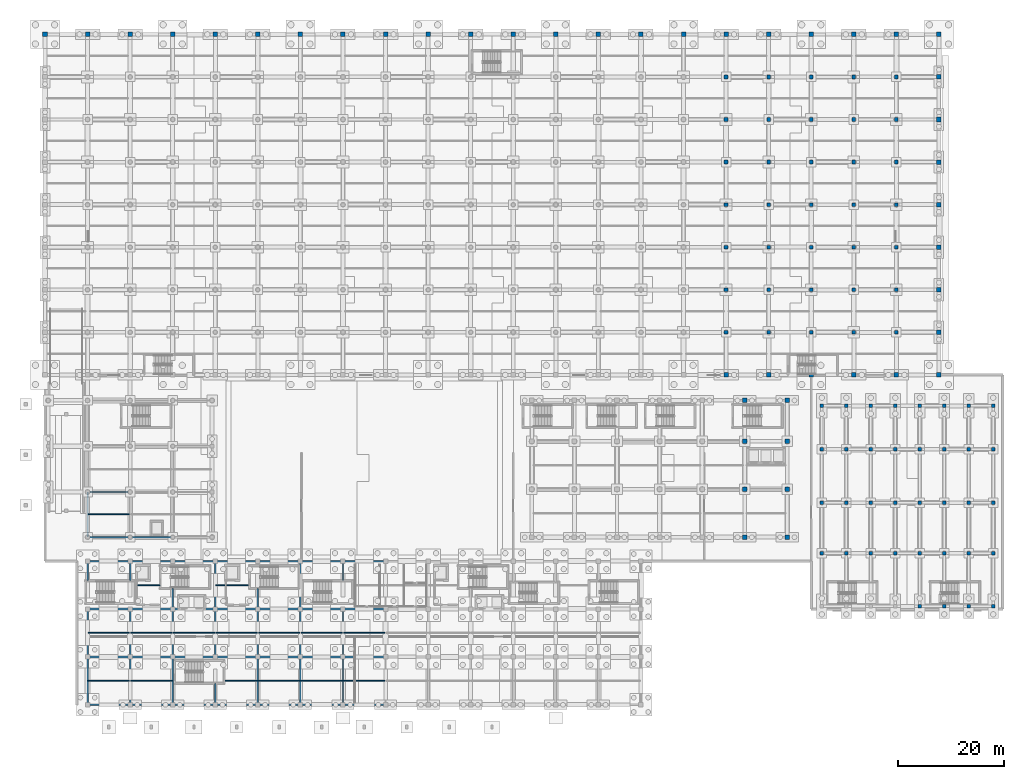
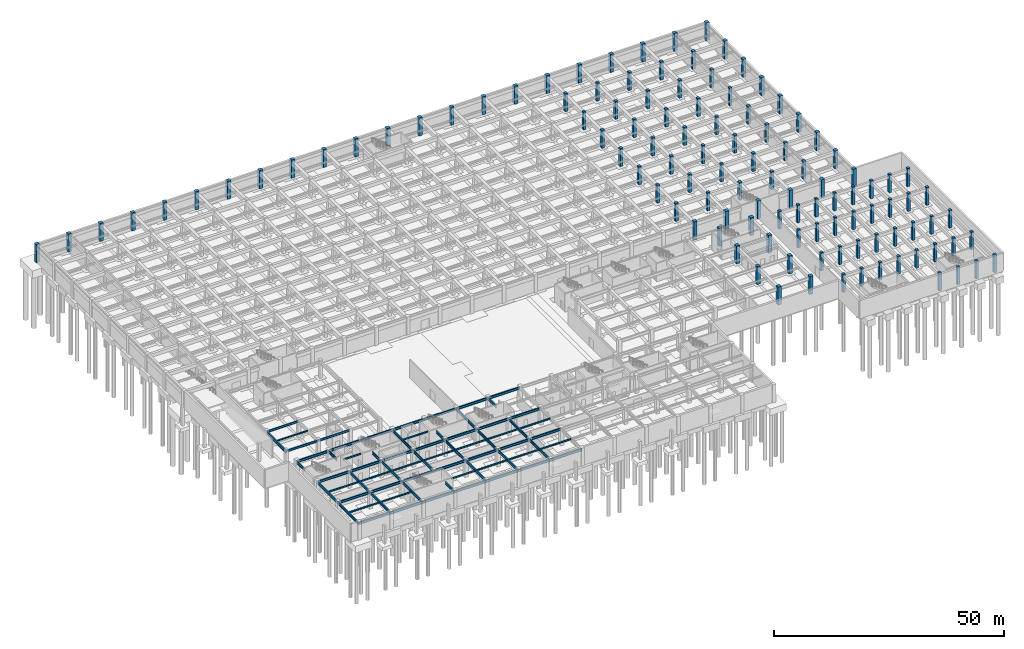
# One storey, part 18 of 48: 114 columns, 69 beams.
"""IFC4 building model written with IfcOpenShell, lengths in metres."""

import ifcopenshell
import ifcopenshell.guid

model = None  # the IFC model being written
_history = None  # IfcOwnerHistory: only IFC2X3 demands one
_inside = {}  # id of a spatial element -> (the spatial element, [elements in it])
_under = {}  # id of a project, library or spatial element -> (it, [spatial elements below it])
_declared = {}  # id of a project -> (the project, [libraries it declares])
_typed = {}  # id of a type object -> (the type object, [elements of that type])
_made_of = {}  # id of a material, layer set ... -> (it, [elements and type objects made of it])


def new_model(schema):
    """Start an empty IFC model of exactly this schema.

    Asked for "IFC4X3", IfcOpenShell would pick the latest addendum, in which some entities
    have other attributes; the version numbers below select the first issue.
    IFC2X3 requires an IfcOwnerHistory on every rooted entity: one is made here for all.
    """
    global model, _history
    if schema == "IFC4X3":
        model = ifcopenshell.file(schema_version=(4, 3, 0, 0))
    else:
        model = ifcopenshell.file(schema=schema)
    _inside.clear()
    _under.clear()
    _declared.clear()
    _typed.clear()
    _made_of.clear()
    _history = None
    if model.schema == "IFC2X3":
        org = make("IfcOrganization", Name="unknown")
        user = make(
            "IfcPersonAndOrganization",
            ThePerson=make("IfcPerson", FamilyName="unknown"),
            TheOrganization=org,
        )
        app = make(
            "IfcApplication",
            ApplicationDeveloper=org,
            Version="unknown",
            ApplicationFullName="unknown",
            ApplicationIdentifier="unknown",
        )
        _history = make(
            "IfcOwnerHistory",
            OwningUser=user,
            OwningApplication=app,
            ChangeAction="ADDED",
            CreationDate=0,
        )
    return model


def make(cls, **values):
    """One entity of the class cls with the attributes given. An attribute that is None is left unset."""
    return model.create_entity(
        cls, **{name: value for name, value in values.items() if value is not None}
    )


def rooted(cls, **values):
    """An entity with a GlobalId (a new one), such as an element, a storey or a relation."""
    return make(cls, GlobalId=ifcopenshell.guid.new(), OwnerHistory=_history, **values)


def si_unit(unit_type, name, prefix=None):
    """IfcSIUnit, for example si_unit("LENGTHUNIT", "METRE", prefix="MILLI")."""
    return make("IfcSIUnit", UnitType=unit_type, Prefix=prefix, Name=name)


def assignment(units):
    """IfcUnitAssignment: the units of a project."""
    return None if units is None else make("IfcUnitAssignment", Units=units)


def point(xyz):
    """IfcCartesianPoint."""
    return None if xyz is None else make("IfcCartesianPoint", Coordinates=xyz)


def direction(xyz):
    """IfcDirection."""
    return None if xyz is None else make("IfcDirection", DirectionRatios=xyz)


def frame(location, z_axis=None, x_axis=None):
    """IfcAxis2Placement3D, a coordinate frame: its origin and axes. An axis left out is left unset."""
    return make(
        "IfcAxis2Placement3D",
        Location=point(location),
        Axis=direction(z_axis),
        RefDirection=direction(x_axis),
    )


def frame_2d(location, x_axis=None):
    """IfcAxis2Placement2D, a coordinate frame in the plane: its origin and x axis."""
    return make(
        "IfcAxis2Placement2D", Location=point(location), RefDirection=direction(x_axis)
    )


def origin():
    """The frame at (0, 0, 0) with its axes left unset."""
    return frame((0.0, 0.0, 0.0))


def origin_2d():
    """The frame at (0, 0) in the plane with its x axis left unset."""
    return frame_2d((0.0, 0.0))


def place(relative_to, where):
    """IfcLocalPlacement: puts the frame where relative to a parent placement (None: the world)."""
    return make(
        "IfcLocalPlacement", PlacementRelTo=relative_to, RelativePlacement=where
    )


def context(
    kind, dimensions, precision=None, world=None, true_north=None, identifier=None
):
    """IfcGeometricRepresentationContext, for example the 3D "Model" context."""
    return make(
        "IfcGeometricRepresentationContext",
        ContextIdentifier=identifier,
        ContextType=kind,
        CoordinateSpaceDimension=dimensions,
        Precision=precision,
        WorldCoordinateSystem=world,
        TrueNorth=true_north,
    )


def subcontext(parent, identifier, kind, view, scale=None):
    """IfcGeometricRepresentationSubContext, for example "Body" below "Model"."""
    return make(
        "IfcGeometricRepresentationSubContext",
        ContextIdentifier=identifier,
        ContextType=kind,
        ParentContext=parent,
        TargetScale=scale,
        TargetView=view,
    )


def project(units=None, contexts=None):
    """IfcProject with its units and contexts."""
    return rooted(
        "IfcProject",
        Name="project",
        RepresentationContexts=contexts,
        UnitsInContext=assignment(units),
    )


def spatial(cls, under=None, at=None, **own):
    """A site, building, storey or space (cls), placed at a placement, below another one or the project."""
    s = rooted(cls, ObjectPlacement=at, **own)
    if under is not None:
        _under.setdefault(under.id(), (under, []))[1].append(s)
    return s


def profile(cls, at=None, kind="AREA", **sizes):
    """A parametric profile (cls). Its sizes go by their IFC names, for example OverallWidth=200.0."""
    return make(cls, ProfileType=kind, Position=at, **sizes)


def rectangle(**sizes):
    """IfcRectangleProfileDef."""
    return profile("IfcRectangleProfileDef", **sizes)


def i_section(**sizes):
    """IfcIShapeProfileDef."""
    return profile("IfcIShapeProfileDef", **sizes)


def extrude(swept, where, along, depth):
    """IfcExtrudedAreaSolid: the profile swept, set in the frame where, extruded along a direction by depth."""
    return make(
        "IfcExtrudedAreaSolid",
        SweptArea=swept,
        Position=where,
        ExtrudedDirection=direction(along),
        Depth=depth,
    )


def shape(context_of_items, identifier, shape_type, items):
    """IfcShapeRepresentation: the items that make up one representation, for example the "Body"."""
    return make(
        "IfcShapeRepresentation",
        ContextOfItems=context_of_items,
        RepresentationIdentifier=identifier,
        RepresentationType=shape_type,
        Items=items,
    )


def material(Name=None, Category=None):
    """IfcMaterial."""
    return make("IfcMaterial", Name=Name, Category=Category)


def material_profile(
    of_material, cross_section, Name=None, Category=None, Priority=None
):
    """IfcMaterialProfile: a cross section and its material."""
    return make(
        "IfcMaterialProfile",
        Name=Name,
        Material=of_material,
        Profile=cross_section,
        Priority=Priority,
        Category=Category,
    )


def profile_set(profiles, Name=None, composite=None):
    """IfcMaterialProfileSet."""
    return make(
        "IfcMaterialProfileSet",
        Name=Name,
        MaterialProfiles=profiles,
        CompositeProfile=composite,
    )


def made_of(thing, what):
    """Note that an element or type object is made of a material, layer set ...; save() writes the relation."""
    if what is not None:
        _made_of.setdefault(what.id(), (what, []))[1].append(thing)
    return thing


def type_object(cls, material=None, **own):
    """A type object (cls), such as IfcWallType, which elements share."""
    return made_of(rooted(cls, **own), material)


def element(
    cls,
    number,
    at=None,
    inside=None,
    cuts=None,
    type_object=None,
    material=None,
    context=None,
    identifier="Body",
    shape_type=None,
    held_by="IfcProductDefinitionShape",
    body=None,
    shapes=None,
    **own,
):
    """One element of the class cls, such as IfcWall. Its Tag is "e" and its number.

    at: its placement. inside: the storey or other place that contains it. cuts: it is an
    opening in that element (IfcRelVoidsElement). A single representation is given by context,
    identifier, shape_type and body (its items); several are given by shapes. held_by: the class
    of the entity that holds the representations. save() writes the other relations.
    """
    e = rooted(cls, Tag="e%d" % number, ObjectPlacement=at, **own)
    if body is not None:
        shapes = [shape(context, identifier, shape_type, body)]
    if shapes is not None:
        e.Representation = make(held_by, Representations=shapes)
    if inside is not None:
        _inside.setdefault(inside.id(), (inside, []))[1].append(e)
    if cuts is not None:
        rooted(
            "IfcRelVoidsElement", RelatingBuildingElement=cuts, RelatedOpeningElement=e
        )
    if type_object is not None:
        _typed.setdefault(type_object.id(), (type_object, []))[1].append(e)
    return made_of(e, material)


def aggregate(whole, parts):
    """IfcRelAggregates: a whole, such as a stair, and the parts it consists of."""
    return rooted("IfcRelAggregates", RelatingObject=whole, RelatedObjects=parts)


def save(model, path):
    """Write the relations noted so far, then the file.

    IfcRelAggregates (storeys below a building ...), IfcRelContainedInSpatialStructure (elements
    in a storey), IfcRelDefinesByType, IfcRelAssociatesMaterial and IfcRelDeclares: one each for
    every whole, place, type object, material and project.
    """
    for whole, parts in _under.values():
        aggregate(whole, parts)
    for where, things in _inside.values():
        rooted(
            "IfcRelContainedInSpatialStructure",
            RelatedElements=things,
            RelatingStructure=where,
        )
    for kind, things in _typed.values():
        rooted("IfcRelDefinesByType", RelatedObjects=things, RelatingType=kind)
    for what, things in _made_of.values():
        rooted("IfcRelAssociatesMaterial", RelatedObjects=things, RelatingMaterial=what)
    for by, libraries in _declared.values():
        rooted("IfcRelDeclares", RelatingContext=by, RelatedDefinitions=libraries)
    model.write(path)


model = new_model("IFC4")

# Units and contexts
model_context = context("Model", 3, precision=1e-05, world=origin(), true_north=direction((0.0, 1.0)))
body_context = subcontext(model_context, "Body", "Model", "MODEL_VIEW")
ifc_project = project(units=[si_unit("LENGTHUNIT", "METRE"), si_unit("AREAUNIT", "SQUARE_METRE"), si_unit("VOLUMEUNIT", "CUBIC_METRE"), si_unit("PLANEANGLEUNIT", "RADIAN"), si_unit("MASSUNIT", "GRAM", prefix="KILO")], contexts=[model_context])

# Site, building, storey
site_placement = place(None, origin())
site = spatial("IfcSite", under=ifc_project, at=site_placement, CompositionType="ELEMENT")
building_placement = place(site_placement, origin())
building = spatial("IfcBuilding", under=site, at=building_placement, Name="Tlacozan Convention Centre", CompositionType="ELEMENT")
storey_placement = place(building_placement, frame((0.0, 0.0, -4.800048828125)))
storey = spatial("IfcBuildingStorey", under=building, at=storey_placement, Name="B01", CompositionType="ELEMENT", Elevation=-4.800048828125)

# Columns
ifc_material_1 = material(Name="Concrete C40/50", Category="concrete")
ifc_material_profile_1 = material_profile(ifc_material_1, rectangle(XDim=0.64990234375, YDim=0.64990234375, at=origin_2d()), Name="RC 650x650")
ifc_profile_set_1 = profile_set([ifc_material_profile_1], Name="Concrete C40/50")
column_type_1 = type_object("IfcColumnType", Name="Column Square RC 650x650", PredefinedType="COLUMN", material=ifc_profile_set_1)
for number, where, z_axis, x_axis, name in (
    (1, (146.0, 28.5, 0.0), (0.0, 0.0, 1.0), (1.0, 0.0, 0.0), "B01 Column 725"),
    (2, (146.0, 38.0, 0.0), (0.0, 0.0, 1.0), (1.0, 0.0, 0.0), "B01 Column 726"),
    (3, (146.0, 48.0, 0.0), (0.0, 0.0, 1.0), (1.0, 0.0, 0.0), "B01 Column 727"),
    (4, (146.0, 56.199951171875, 0.0), (0.0, 0.0, 1.0), (1.0, 0.0, 0.0), "B01 Column 728"),
    (5, (150.60009765625, 28.5, 0.0), (0.0, 0.0, 1.0), (1.0, 0.0, 0.0), "B01 Column 736"),
    (6, (150.60009765625, 38.0, 0.0), (0.0, 0.0, 1.0), (1.0, 0.0, 0.0), "B01 Column 737"),
    (7, (150.60009765625, 48.0, 0.0), (0.0, 0.0, 1.0), (1.0, 0.0, 0.0), "B01 Column 738"),
    (8, (150.60009765625, 56.199951171875, 0.0), (0.0, 0.0, 1.0), (1.0, 0.0, 0.0), "B01 Column 739"),
    (9, (155.199951171875, 28.5, 0.0), (0.0, 0.0, 1.0), (1.0, 0.0, 0.0), "B01 Column 760"),
    (10, (155.199951171875, 38.0, 0.0), (0.0, 0.0, 1.0), (1.0, 0.0, 0.0), "B01 Column 761"),
    (11, (155.199951171875, 48.0, 0.0), (0.0, 0.0, 1.0), (1.0, 0.0, 0.0), "B01 Column 762"),
    (12, (155.199951171875, 56.199951171875, 0.0), (0.0, 0.0, 1.0), (1.0, 0.0, 0.0), "B01 Column 763"),
    (13, (159.800048828125, 28.5, 0.0), (0.0, 0.0, 1.0), (1.0, 0.0, 0.0), "B01 Column 771"),
    (14, (159.800048828125, 38.0, 0.0), (0.0, 0.0, 1.0), (1.0, 0.0, 0.0), "B01 Column 772"),
    (15, (159.800048828125, 48.0, 0.0), (0.0, 0.0, 1.0), (1.0, 0.0, 0.0), "B01 Column 773"),
    (16, (159.800048828125, 56.199951171875, 0.0), (0.0, 0.0, 1.0), (1.0, 0.0, 0.0), "B01 Column 774"),
    (17, (164.39990234375, 18.5, 0.0), (0.0, 0.0, 1.0), (1.0, 0.0, 0.0), "B01 Column 791"),
    (18, (164.39990234375, 28.5, 0.0), (0.0, 0.0, 1.0), (1.0, 0.0, 0.0), "B01 Column 795"),
    (19, (164.39990234375, 38.0, 0.0), (0.0, 0.0, 1.0), (1.0, 0.0, 0.0), "B01 Column 796"),
    (20, (164.39990234375, 48.0, 0.0), (0.0, 0.0, 1.0), (1.0, 0.0, 0.0), "B01 Column 797"),
    (21, (164.39990234375, 56.199951171875, 0.0), (0.0, 0.0, 1.0), (1.0, 0.0, 0.0), "B01 Column 798"),
    (22, (169.0, 18.5, 0.0), (0.0, 0.0, 1.0), (1.0, 0.0, 0.0), "B01 Column 829"),
    (23, (169.0, 28.5, 0.0), (0.0, 0.0, 1.0), (1.0, 0.0, 0.0), "B01 Column 833"),
    (24, (169.0, 38.0, 0.0), (0.0, 0.0, 1.0), (1.0, 0.0, 0.0), "B01 Column 834"),
    (25, (169.0, 48.0, 0.0), (0.0, 0.0, 1.0), (1.0, 0.0, 0.0), "B01 Column 835"),
    (26, (169.0, 56.199951171875, 0.0), (0.0, 0.0, 1.0), (1.0, 0.0, 0.0), "B01 Column 836"),
    (27, (173.60009765625, 18.5, 0.0), (0.0, 0.0, 1.0), (1.0, 0.0, 0.0), "B01 Column 840"),
    (28, (173.60009765625, 28.5, 0.0), (0.0, 0.0, 1.0), (1.0, 0.0, 0.0), "B01 Column 844"),
    (29, (173.60009765625, 38.0, 0.0), (0.0, 0.0, 1.0), (1.0, 0.0, 0.0), "B01 Column 845"),
    (30, (173.60009765625, 48.0, 0.0), (0.0, 0.0, 1.0), (1.0, 0.0, 0.0), "B01 Column 846"),
    (31, (173.60009765625, 56.199951171875, 0.0), (0.0, 0.0, 1.0), (1.0, 0.0, 0.0), "B01 Column 847"),
    (32, (178.199951171875, 18.5, 0.0), (0.0, 0.0, 1.0), (1.0, 0.0, 0.0), "B01 Column 851"),
    (33, (178.199951171875, 28.5, 0.0), (0.0, 0.0, 1.0), (1.0, 0.0, 0.0), "B01 Column 855"),
    (34, (178.199951171875, 38.0, 0.0), (0.0, 0.0, 1.0), (1.0, 0.0, 0.0), "B01 Column 856"),
    (35, (178.199951171875, 48.0, 0.0), (0.0, 0.0, 1.0), (1.0, 0.0, 0.0), "B01 Column 857"),
    (36, (178.199951171875, 56.199951171875, 0.0), (0.0, 0.0, 1.0), (1.0, 0.0, 0.0), "B01 Column 858"),
):
    element("IfcColumn", number, at=place(storey_placement, frame(where, z_axis=z_axis, x_axis=x_axis)), inside=storey, type_object=column_type_1, Name=name, PredefinedType="COLUMN", context=body_context, shape_type="SweptSolid", body=[
        extrude(rectangle(XDim=0.64990234375, YDim=0.64990234375, at=origin_2d()), origin(), (0.0, 0.0, 1.0), 4.800048828125),
    ])
ifc_material_profile_2 = material_profile(ifc_material_1, rectangle(XDim=0.699951171875, YDim=0.699951171875, at=origin_2d()), Name="RC 700x700")
ifc_profile_set_2 = profile_set([ifc_material_profile_2], Name="Concrete C40/50")
column_type_2 = type_object("IfcColumnType", Name="Column Square RC 700x700", PredefinedType="COLUMN", material=ifc_profile_set_2)
for number, where, z_axis, x_axis, name in (
    (37, (128.0, 70.0, 0.0), (0.0, 0.0, 1.0), (1.0, 0.0, 0.0), "B01 Column 663"),
    (38, (128.0, 78.0, 0.0), (0.0, 0.0, 1.0), (1.0, 0.0, 0.0), "B01 Column 664"),
    (39, (128.0, 86.0, 0.0), (0.0, 0.0, 1.0), (1.0, 0.0, 0.0), "B01 Column 665"),
    (40, (128.0, 94.0, 0.0), (0.0, 0.0, 1.0), (1.0, 0.0, 0.0), "B01 Column 666"),
    (41, (128.0, 102.0, 0.0), (0.0, 0.0, 1.0), (1.0, 0.0, 0.0), "B01 Column 667"),
    (42, (128.0, 110.0, 0.0), (0.0, 0.0, 1.0), (1.0, 0.0, 0.0), "B01 Column 668"),
    (43, (128.0, 118.0, 0.0), (0.0, 0.0, 1.0), (1.0, 0.0, 0.0), "B01 Column 669"),
    (44, (136.0, 70.0, 0.0), (0.0, 0.0, 1.0), (1.0, 0.0, 0.0), "B01 Column 686"),
    (45, (136.0, 78.0, 0.0), (0.0, 0.0, 1.0), (1.0, 0.0, 0.0), "B01 Column 687"),
    (46, (136.0, 86.0, 0.0), (0.0, 0.0, 1.0), (1.0, 0.0, 0.0), "B01 Column 688"),
    (47, (136.0, 94.0, 0.0), (0.0, 0.0, 1.0), (1.0, 0.0, 0.0), "B01 Column 689"),
    (48, (136.0, 102.0, 0.0), (0.0, 0.0, 1.0), (1.0, 0.0, 0.0), "B01 Column 690"),
    (49, (136.0, 110.0, 0.0), (0.0, 0.0, 1.0), (1.0, 0.0, 0.0), "B01 Column 691"),
    (50, (136.0, 118.0, 0.0), (0.0, 0.0, 1.0), (1.0, 0.0, 0.0), "B01 Column 692"),
    (51, (144.0, 70.0, 0.0), (0.0, 0.0, 1.0), (1.0, 0.0, 0.0), "B01 Column 711"),
    (52, (144.0, 78.0, 0.0), (0.0, 0.0, 1.0), (1.0, 0.0, 0.0), "B01 Column 712"),
    (53, (144.0, 86.0, 0.0), (0.0, 0.0, 1.0), (1.0, 0.0, 0.0), "B01 Column 713"),
    (54, (144.0, 94.0, 0.0), (0.0, 0.0, 1.0), (1.0, 0.0, 0.0), "B01 Column 714"),
    (55, (144.0, 102.0, 0.0), (0.0, 0.0, 1.0), (1.0, 0.0, 0.0), "B01 Column 715"),
    (56, (144.0, 110.0, 0.0), (0.0, 0.0, 1.0), (1.0, 0.0, 0.0), "B01 Column 716"),
    (57, (144.0, 118.0, 0.0), (0.0, 0.0, 1.0), (1.0, 0.0, 0.0), "B01 Column 717"),
    (58, (152.0, 70.0, 0.0), (0.0, 0.0, 1.0), (1.0, 0.0, 0.0), "B01 Column 746"),
    (59, (152.0, 78.0, 0.0), (0.0, 0.0, 1.0), (1.0, 0.0, 0.0), "B01 Column 747"),
    (60, (152.0, 86.0, 0.0), (0.0, 0.0, 1.0), (1.0, 0.0, 0.0), "B01 Column 748"),
    (61, (152.0, 94.0, 0.0), (0.0, 0.0, 1.0), (1.0, 0.0, 0.0), "B01 Column 749"),
    (62, (152.0, 102.0, 0.0), (0.0, 0.0, 1.0), (1.0, 0.0, 0.0), "B01 Column 750"),
    (63, (152.0, 110.0, 0.0), (0.0, 0.0, 1.0), (1.0, 0.0, 0.0), "B01 Column 751"),
    (64, (152.0, 118.0, 0.0), (0.0, 0.0, 1.0), (1.0, 0.0, 0.0), "B01 Column 752"),
    (65, (160.0, 70.0, 0.0), (0.0, 0.0, 1.0), (1.0, 0.0, 0.0), "B01 Column 781"),
    (66, (160.0, 78.0, 0.0), (0.0, 0.0, 1.0), (1.0, 0.0, 0.0), "B01 Column 782"),
    (67, (160.0, 86.0, 0.0), (0.0, 0.0, 1.0), (1.0, 0.0, 0.0), "B01 Column 783"),
    (68, (160.0, 94.0, 0.0), (0.0, 0.0, 1.0), (1.0, 0.0, 0.0), "B01 Column 784"),
    (69, (160.0, 102.0, 0.0), (0.0, 0.0, 1.0), (1.0, 0.0, 0.0), "B01 Column 785"),
    (70, (160.0, 110.0, 0.0), (0.0, 0.0, 1.0), (1.0, 0.0, 0.0), "B01 Column 786"),
    (71, (160.0, 118.0, 0.0), (0.0, 0.0, 1.0), (1.0, 0.0, 0.0), "B01 Column 787"),
):
    element("IfcColumn", number, at=place(storey_placement, frame(where, z_axis=z_axis, x_axis=x_axis)), inside=storey, type_object=column_type_2, Name=name, PredefinedType="COLUMN", context=body_context, shape_type="SweptSolid", body=[
        extrude(rectangle(XDim=0.699951171875, YDim=0.699951171875, at=origin_2d()), origin(), (0.0, 0.0, 1.0), 4.800048828125),
    ])
ifc_material_profile_3 = material_profile(ifc_material_1, rectangle(XDim=0.85009765625, YDim=0.85009765625, at=origin_2d()), Name="RC 850x850")
ifc_profile_set_3 = profile_set([ifc_material_profile_3], Name="Concrete C40/50")
column_type_3 = type_object("IfcColumnType", Name="Column Square RC 850x850", PredefinedType="COLUMN", material=ifc_profile_set_3)
for number, where, z_axis, x_axis, name in (
    (72, (0.0, 126.0, 0.0), (0.0, 0.0, 1.0), (1.0, 0.0, 0.0), "B01 Column 25"),
    (73, (8.0, 126.0, 0.0), (0.0, 0.0, 1.0), (1.0, 0.0, 0.0), "B01 Column 83"),
    (74, (16.0, 126.0, 0.0), (0.0, 0.0, 1.0), (1.0, 0.0, 0.0), "B01 Column 132"),
    (75, (24.0, 126.0, 0.0), (0.0, 0.0, 1.0), (1.0, 0.0, 0.0), "B01 Column 181"),
    (76, (32.0, 126.0, 0.0), (0.0, 0.0, 1.0), (1.0, 0.0, 0.0), "B01 Column 230"),
    (77, (40.0, 126.0, 0.0), (0.0, 0.0, 1.0), (1.0, 0.0, 0.0), "B01 Column 267"),
    (78, (48.0, 126.0, 0.0), (0.0, 0.0, 1.0), (1.0, 0.0, 0.0), "B01 Column 304"),
    (79, (56.0, 126.0, 0.0), (0.0, 0.0, 1.0), (1.0, 0.0, 0.0), "B01 Column 341"),
    (80, (64.0, 126.0, 0.0), (0.0, 0.0, 1.0), (1.0, 0.0, 0.0), "B01 Column 378"),
    (81, (72.0, 126.0, 0.0), (0.0, 0.0, 1.0), (1.0, 0.0, 0.0), "B01 Column 415"),
    (82, (80.0, 126.0, 0.0), (0.0, 0.0, 1.0), (1.0, 0.0, 0.0), "B01 Column 452"),
    (83, (88.0, 126.0, 0.0), (0.0, 0.0, 1.0), (1.0, 0.0, 0.0), "B01 Column 489"),
    (84, (96.0, 126.0, 0.0), (0.0, 0.0, 1.0), (1.0, 0.0, 0.0), "B01 Column 538"),
    (85, (104.0, 126.0, 0.0), (0.0, 0.0, 1.0), (1.0, 0.0, 0.0), "B01 Column 581"),
    (86, (112.0, 126.0, 0.0), (0.0, 0.0, 1.0), (1.0, 0.0, 0.0), "B01 Column 624"),
    (87, (120.0, 126.0, 0.0), (0.0, 0.0, 1.0), (1.0, 0.0, 0.0), "B01 Column 647"),
    (88, (128.0, 62.0, 0.0), (0.0, 0.0, 1.0), (1.0, 0.0, 0.0), "B01 Column 660"),
    (89, (128.0, 126.0, 0.0), (0.0, 0.0, 1.0), (1.0, 0.0, 0.0), "B01 Column 670"),
    (90, (131.5, 31.5, 0.0), (0.0, 0.0, 1.0), (1.0, 0.0, 0.0), "B01 Column 673"),
    (91, (131.5, 40.5, 0.0), (0.0, 0.0, 1.0), (1.0, 0.0, 0.0), "B01 Column 677"),
    (92, (131.5, 49.5, 0.0), (0.0, 0.0, 1.0), (1.0, 0.0, 0.0), "B01 Column 678"),
    (93, (131.5, 57.199951171875, 0.0), (0.0, 0.0, 1.0), (1.0, 0.0, 0.0), "B01 Column 679"),
    (94, (136.0, 62.0, 0.0), (0.0, 0.0, 1.0), (1.0, 0.0, 0.0), "B01 Column 683"),
    (95, (136.0, 126.0, 0.0), (0.0, 0.0, 1.0), (1.0, 0.0, 0.0), "B01 Column 693"),
    (96, (139.5, 31.5, 0.0), (0.0, 0.0, 1.0), (1.0, 0.0, 0.0), "B01 Column 696"),
    (97, (139.5, 40.5, 0.0), (0.0, 0.0, 1.0), (1.0, 0.0, 0.0), "B01 Column 700"),
    (98, (139.5, 49.5, 0.0), (0.0, 0.0, 1.0), (1.0, 0.0, 0.0), "B01 Column 702"),
    (99, (139.5, 57.199951171875, 0.0), (0.0, 0.0, 1.0), (1.0, 0.0, 0.0), "B01 Column 704"),
    (100, (144.0, 62.0, 0.0), (0.0, 0.0, 1.0), (1.0, 0.0, 0.0), "B01 Column 708"),
    (101, (144.0, 126.0, 0.0), (0.0, 0.0, 1.0), (1.0, 0.0, 0.0), "B01 Column 718"),
    (102, (152.0, 62.0, 0.0), (0.0, 0.0, 1.0), (1.0, 0.0, 0.0), "B01 Column 743"),
    (103, (152.0, 126.0, 0.0), (0.0, 0.0, 1.0), (1.0, 0.0, 0.0), "B01 Column 753"),
    (104, (160.0, 62.0, 0.0), (0.0, 0.0, 1.0), (1.0, 0.0, 0.0), "B01 Column 778"),
    (105, (160.0, 126.0, 0.0), (0.0, 0.0, 1.0), (1.0, 0.0, 0.0), "B01 Column 788"),
    (106, (168.0, 62.0, 0.0), (0.0, 0.0, 1.0), (1.0, 0.0, 0.0), "B01 Column 802"),
    (107, (168.0, 70.0, 0.0), (0.0, 0.0, 1.0), (1.0, 0.0, 0.0), "B01 Column 805"),
    (108, (168.0, 78.0, 0.0), (0.0, 0.0, 1.0), (1.0, 0.0, 0.0), "B01 Column 808"),
    (109, (168.0, 86.0, 0.0), (0.0, 0.0, 1.0), (1.0, 0.0, 0.0), "B01 Column 811"),
    (110, (168.0, 94.0, 0.0), (0.0, 0.0, 1.0), (1.0, 0.0, 0.0), "B01 Column 814"),
    (111, (168.0, 102.0, 0.0), (0.0, 0.0, 1.0), (1.0, 0.0, 0.0), "B01 Column 817"),
    (112, (168.0, 110.0, 0.0), (0.0, 0.0, 1.0), (1.0, 0.0, 0.0), "B01 Column 820"),
    (113, (168.0, 118.0, 0.0), (0.0, 0.0, 1.0), (1.0, 0.0, 0.0), "B01 Column 823"),
    (114, (168.0, 126.0, 0.0), (0.0, 0.0, 1.0), (1.0, 0.0, 0.0), "B01 Column 826"),
):
    element("IfcColumn", number, at=place(storey_placement, frame(where, z_axis=z_axis, x_axis=x_axis)), inside=storey, type_object=column_type_3, Name=name, PredefinedType="COLUMN", context=body_context, shape_type="SweptSolid", body=[
        extrude(rectangle(XDim=0.85009765625, YDim=0.85009765625, at=origin_2d()), origin(), (0.0, 0.0, 1.0), 4.800048828125),
    ])

# Beams
ifc_material_2 = material(Name="Steel ASTM A992 Grade 50", Category="steel")
ifc_material_profile_4 = material_profile(ifc_material_2, i_section(OverallWidth=0.2109375, OverallDepth=0.5390625, WebThickness=0.01171875, FlangeThickness=0.018798828125, FilletRadius=0.012939453125, at=origin_2d()), Name="IR 533x109.0")
ifc_profile_set_4 = profile_set([ifc_material_profile_4], Name="Steel ASTM A992 Grade 50")
beam_type_1 = type_object("IfcBeamType", Name="Floor Beam IR 533x109", PredefinedType="BEAM", material=ifc_profile_set_4)
for number, where, z_axis, x_axis, name in (
    (115, (8.0, 31.5, 4.170654296875), (1.0, 0.0, 0.0), (0.0, 1.0, 0.0), "B01 Floor Beam IR 533x109 1633"),
    (116, (8.0, 40.0, 4.170654296875), (1.0, 0.0, 0.0), (0.0, 1.0, 0.0), "B01 Floor Beam IR 533x109 1634"),
    (117, (16.0, 31.5, 4.170654296875), (1.0, 0.0, 0.0), (0.0, 1.0, 0.0), "B01 Floor Beam IR 533x109 1639"),
):
    element("IfcBeam", number, at=place(storey_placement, frame(where, z_axis=z_axis, x_axis=x_axis)), inside=storey, type_object=beam_type_1, Name=name, PredefinedType="BEAM", context=body_context, shape_type="SweptSolid", body=[
        extrude(i_section(OverallWidth=0.2109375, OverallDepth=0.5390625, WebThickness=0.01171875, FlangeThickness=0.018798828125, FilletRadius=0.012939453125, at=origin_2d()), origin(), (0.0, 0.0, 1.0), 8.0),
    ])
ifc_material_profile_5 = material_profile(ifc_material_2, i_section(OverallWidth=0.323974609375, OverallDepth=0.611083984375, WebThickness=0.0126953125, FlangeThickness=0.01904296875, FilletRadius=0.012939453125, at=origin_2d()), Name="IR 610x155.0")
ifc_profile_set_5 = profile_set([ifc_material_profile_5], Name="Steel ASTM A992 Grade 50")
beam_type_2 = type_object("IfcBeamType", Name="Floor Beam IR 610x155", PredefinedType="BEAM", material=ifc_profile_set_5)
for number, where, z_axis, x_axis, name in (
    (118, (8.0, 0.0, 4.134521484375), (1.0, 0.0, 0.0), (0.0, 1.0, 0.0), "B01 Floor Beam IR 610x155 43"),
    (119, (8.0, 9.0, 4.134521484375), (1.0, 0.0, 0.0), (0.0, 1.0, 0.0), "B01 Floor Beam IR 610x155 44"),
    (120, (8.0, 18.0, 4.134521484375), (1.0, 0.0, 0.0), (0.0, 1.0, 0.0), "B01 Floor Beam IR 610x155 45"),
    (121, (8.0, 27.0, 4.134521484375), (1.0, 0.0, 0.0), (0.0, 1.0, 0.0), "B01 Floor Beam IR 610x155 46"),
    (122, (16.0, 0.0, 4.134521484375), (1.0, 0.0, 0.0), (0.0, 1.0, 0.0), "B01 Floor Beam IR 610x155 47"),
    (123, (16.0, 9.0, 4.134521484375), (1.0, 0.0, 0.0), (0.0, 1.0, 0.0), "B01 Floor Beam IR 610x155 48"),
    (124, (16.0, 18.0, 4.134521484375), (1.0, 0.0, 0.0), (0.0, 1.0, 0.0), "B01 Floor Beam IR 610x155 49"),
    (125, (16.0, 27.0, 4.134521484375), (1.0, 0.0, 0.0), (0.0, 1.0, 0.0), "B01 Floor Beam IR 610x155 50"),
    (126, (24.0, 0.0, 4.134521484375), (1.0, 0.0, 0.0), (0.0, 1.0, 0.0), "B01 Floor Beam IR 610x155 51"),
    (127, (24.0, 9.0, 4.134521484375), (1.0, 0.0, 0.0), (0.0, 1.0, 0.0), "B01 Floor Beam IR 610x155 52"),
    (128, (24.0, 18.0, 4.134521484375), (1.0, 0.0, 0.0), (0.0, 1.0, 0.0), "B01 Floor Beam IR 610x155 53"),
    (129, (24.0, 27.0, 4.134521484375), (1.0, 0.0, 0.0), (0.0, 1.0, 0.0), "B01 Floor Beam IR 610x155 54"),
    (130, (32.0, 0.0, 4.134521484375), (1.0, 0.0, 0.0), (0.0, 1.0, 0.0), "B01 Floor Beam IR 610x155 55"),
    (131, (32.0, 9.0, 4.134521484375), (1.0, 0.0, 0.0), (0.0, 1.0, 0.0), "B01 Floor Beam IR 610x155 56"),
    (132, (32.0, 18.0, 4.134521484375), (1.0, 0.0, 0.0), (0.0, 1.0, 0.0), "B01 Floor Beam IR 610x155 57"),
    (133, (32.0, 27.0, 4.134521484375), (1.0, 0.0, 0.0), (0.0, 1.0, 0.0), "B01 Floor Beam IR 610x155 58"),
    (134, (40.0, 0.0, 4.134521484375), (1.0, 0.0, 0.0), (0.0, 1.0, 0.0), "B01 Floor Beam IR 610x155 59"),
    (135, (40.0, 9.0, 4.134521484375), (1.0, 0.0, 0.0), (0.0, 1.0, 0.0), "B01 Floor Beam IR 610x155 60"),
    (136, (40.0, 18.0, 4.134521484375), (1.0, 0.0, 0.0), (0.0, 1.0, 0.0), "B01 Floor Beam IR 610x155 61"),
    (137, (40.0, 27.0, 4.134521484375), (1.0, 0.0, 0.0), (0.0, 1.0, 0.0), "B01 Floor Beam IR 610x155 62"),
    (138, (48.0, 0.0, 4.134521484375), (1.0, 0.0, 0.0), (0.0, 1.0, 0.0), "B01 Floor Beam IR 610x155 63"),
    (139, (48.0, 9.0, 4.134521484375), (1.0, 0.0, 0.0), (0.0, 1.0, 0.0), "B01 Floor Beam IR 610x155 64"),
    (140, (48.0, 18.0, 4.134521484375), (1.0, 0.0, 0.0), (0.0, 1.0, 0.0), "B01 Floor Beam IR 610x155 65"),
    (141, (48.0, 27.0, 4.134521484375), (1.0, 0.0, 0.0), (0.0, 1.0, 0.0), "B01 Floor Beam IR 610x155 66"),
    (142, (56.0, 0.0, 4.134521484375), (1.0, 0.0, 0.0), (0.0, 1.0, 0.0), "B01 Floor Beam IR 610x155 67"),
    (143, (56.0, 9.0, 4.134521484375), (1.0, 0.0, 0.0), (0.0, 1.0, 0.0), "B01 Floor Beam IR 610x155 68"),
    (144, (56.0, 18.0, 4.134521484375), (1.0, 0.0, 0.0), (0.0, 1.0, 0.0), "B01 Floor Beam IR 610x155 69"),
    (145, (56.0, 27.0, 4.134521484375), (1.0, 0.0, 0.0), (0.0, 1.0, 0.0), "B01 Floor Beam IR 610x155 70"),
):
    element("IfcBeam", number, at=place(storey_placement, frame(where, z_axis=z_axis, x_axis=x_axis)), inside=storey, type_object=beam_type_2, Name=name, PredefinedType="BEAM", context=body_context, shape_type="SweptSolid", body=[
        extrude(i_section(OverallWidth=0.323974609375, OverallDepth=0.611083984375, WebThickness=0.0126953125, FlangeThickness=0.01904296875, FilletRadius=0.012939453125, at=origin_2d()), origin(), (0.0, 0.0, 1.0), 8.0),
    ])
ifc_material_profile_6 = material_profile(ifc_material_2, i_section(OverallWidth=0.256103515625, OverallDepth=0.693115234375, WebThickness=0.014404296875, FlangeThickness=0.023681640625, FilletRadius=0.014892578125, at=origin_2d()), Name="IR 686x170.0")
ifc_profile_set_6 = profile_set([ifc_material_profile_6], Name="Steel ASTM A992 Grade 50")
beam_type_3 = type_object("IfcBeamType", Name="Girder Steel IR 686x170", PredefinedType="BEAM", material=ifc_profile_set_6)
for number, where, z_axis, x_axis, name in (
    (146, (8.0, 0.0, 4.093505859375), (0.0, 1.0, 0.0), (-1.0, 0.0, 0.0), "B01 Girder Steel IR 686x170 1"),
    (147, (8.0, 9.0, 4.093505859375), (0.0, 1.0, 0.0), (-1.0, 0.0, 0.0), "B01 Girder Steel IR 686x170 2"),
):
    element("IfcBeam", number, at=place(storey_placement, frame(where, z_axis=z_axis, x_axis=x_axis)), inside=storey, type_object=beam_type_3, Name=name, PredefinedType="BEAM", context=body_context, shape_type="SweptSolid", body=[
        extrude(i_section(OverallWidth=0.256103515625, OverallDepth=0.693115234375, WebThickness=0.014404296875, FlangeThickness=0.023681640625, FilletRadius=0.014892578125, at=origin_2d()), origin(), (0.0, 0.0, 1.0), 9.0),
    ])
beam_1_placement = place(storey_placement, frame((8.0, 23.320068359375, 4.093505859375), z_axis=(0.0, 1.0, 0.0), x_axis=(-1.0, 0.0, 0.0)))
element("IfcBeam", 148, at=beam_1_placement, inside=storey, type_object=beam_type_3, Name="B01 Girder Steel IR 686x170 3", PredefinedType="BEAM", context=body_context, shape_type="SweptSolid", body=[
    extrude(i_section(OverallWidth=0.256103515625, OverallDepth=0.693115234375, WebThickness=0.014404296875, FlangeThickness=0.023681640625, FilletRadius=0.014892578125, at=origin_2d()), origin(), (0.0, 0.0, 1.0), 3.679931640625),
])
for number, where, z_axis, x_axis, name in (
    (149, (16.0, 0.0, 4.093505859375), (0.0, 1.0, 0.0), (-1.0, 0.0, 0.0), "B01 Girder Steel IR 686x170 4"),
    (150, (16.0, 9.0, 4.093505859375), (0.0, 1.0, 0.0), (-1.0, 0.0, 0.0), "B01 Girder Steel IR 686x170 5"),
):
    element("IfcBeam", number, at=place(storey_placement, frame(where, z_axis=z_axis, x_axis=x_axis)), inside=storey, type_object=beam_type_3, Name=name, PredefinedType="BEAM", context=body_context, shape_type="SweptSolid", body=[
        extrude(i_section(OverallWidth=0.256103515625, OverallDepth=0.693115234375, WebThickness=0.014404296875, FlangeThickness=0.023681640625, FilletRadius=0.014892578125, at=origin_2d()), origin(), (0.0, 0.0, 1.0), 9.0),
    ])
beam_2_placement = place(storey_placement, frame((16.0, 23.320068359375, 4.093505859375), z_axis=(0.0, 1.0, 0.0), x_axis=(-1.0, 0.0, 0.0)))
element("IfcBeam", 151, at=beam_2_placement, inside=storey, type_object=beam_type_3, Name="B01 Girder Steel IR 686x170 6", PredefinedType="BEAM", context=body_context, shape_type="SweptSolid", body=[
    extrude(i_section(OverallWidth=0.256103515625, OverallDepth=0.693115234375, WebThickness=0.014404296875, FlangeThickness=0.023681640625, FilletRadius=0.014892578125, at=origin_2d()), origin(), (0.0, 0.0, 1.0), 3.679931640625),
])
for number, where, z_axis, x_axis, name in (
    (152, (24.0, 0.0, 4.093505859375), (0.0, 1.0, 0.0), (-1.0, 0.0, 0.0), "B01 Girder Steel IR 686x170 7"),
    (153, (24.0, 9.0, 4.093505859375), (0.0, 1.0, 0.0), (-1.0, 0.0, 0.0), "B01 Girder Steel IR 686x170 8"),
):
    element("IfcBeam", number, at=place(storey_placement, frame(where, z_axis=z_axis, x_axis=x_axis)), inside=storey, type_object=beam_type_3, Name=name, PredefinedType="BEAM", context=body_context, shape_type="SweptSolid", body=[
        extrude(i_section(OverallWidth=0.256103515625, OverallDepth=0.693115234375, WebThickness=0.014404296875, FlangeThickness=0.023681640625, FilletRadius=0.014892578125, at=origin_2d()), origin(), (0.0, 0.0, 1.0), 9.0),
    ])
beam_3_placement = place(storey_placement, frame((24.0, 18.0, 4.093505859375), z_axis=(0.0, 1.0, 0.0), x_axis=(-1.0, 0.0, 0.0)))
element("IfcBeam", 154, at=beam_3_placement, inside=storey, type_object=beam_type_3, Name="B01 Girder Steel IR 686x170 9", PredefinedType="BEAM", context=body_context, shape_type="SweptSolid", body=[
    extrude(i_section(OverallWidth=0.256103515625, OverallDepth=0.693115234375, WebThickness=0.014404296875, FlangeThickness=0.023681640625, FilletRadius=0.014892578125, at=origin_2d()), origin(), (0.0, 0.0, 1.0), 3.840087890625),
])
beam_4_placement = place(storey_placement, frame((32.0, 0.0, 4.093505859375), z_axis=(0.0, 1.0, 0.0), x_axis=(-1.0, 0.0, 0.0)))
element("IfcBeam", 155, at=beam_4_placement, inside=storey, type_object=beam_type_3, Name="B01 Girder Steel IR 686x170 10", PredefinedType="BEAM", context=body_context, shape_type="SweptSolid", body=[
    extrude(i_section(OverallWidth=0.256103515625, OverallDepth=0.693115234375, WebThickness=0.014404296875, FlangeThickness=0.023681640625, FilletRadius=0.014892578125, at=origin_2d()), origin(), (0.0, 0.0, 1.0), 4.0400390625),
])
for number, where, z_axis, x_axis, name in (
    (156, (32.0, 9.0, 4.093505859375), (0.0, 1.0, 0.0), (-1.0, 0.0, 0.0), "B01 Girder Steel IR 686x170 11"),
    (157, (32.0, 18.0, 4.093505859375), (0.0, 1.0, 0.0), (-1.0, 0.0, 0.0), "B01 Girder Steel IR 686x170 12"),
    (158, (40.0, 0.0, 4.093505859375), (0.0, 1.0, 0.0), (-1.0, 0.0, 0.0), "B01 Girder Steel IR 686x170 13"),
    (159, (40.0, 9.0, 4.093505859375), (0.0, 1.0, 0.0), (-1.0, 0.0, 0.0), "B01 Girder Steel IR 686x170 14"),
):
    element("IfcBeam", number, at=place(storey_placement, frame(where, z_axis=z_axis, x_axis=x_axis)), inside=storey, type_object=beam_type_3, Name=name, PredefinedType="BEAM", context=body_context, shape_type="SweptSolid", body=[
        extrude(i_section(OverallWidth=0.256103515625, OverallDepth=0.693115234375, WebThickness=0.014404296875, FlangeThickness=0.023681640625, FilletRadius=0.014892578125, at=origin_2d()), origin(), (0.0, 0.0, 1.0), 9.0),
    ])
beam_5_placement = place(storey_placement, frame((40.0, 18.0, 4.093505859375), z_axis=(0.0, 1.0, 0.0), x_axis=(-1.0, 0.0, 0.0)))
element("IfcBeam", 160, at=beam_5_placement, inside=storey, type_object=beam_type_3, Name="B01 Girder Steel IR 686x170 15", PredefinedType="BEAM", context=body_context, shape_type="SweptSolid", body=[
    extrude(i_section(OverallWidth=0.256103515625, OverallDepth=0.693115234375, WebThickness=0.014404296875, FlangeThickness=0.023681640625, FilletRadius=0.014892578125, at=origin_2d()), origin(), (0.0, 0.0, 1.0), 3.840087890625),
])
for number, where, z_axis, x_axis, name in (
    (161, (48.0, 0.0, 4.093505859375), (0.0, 1.0, 0.0), (-1.0, 0.0, 0.0), "B01 Girder Steel IR 686x170 16"),
    (162, (48.0, 9.0, 4.093505859375), (0.0, 1.0, 0.0), (-1.0, 0.0, 0.0), "B01 Girder Steel IR 686x170 17"),
    (163, (48.0, 18.0, 4.093505859375), (0.0, 1.0, 0.0), (-1.0, 0.0, 0.0), "B01 Girder Steel IR 686x170 18"),
    (164, (56.0, 0.0, 4.093505859375), (0.0, 1.0, 0.0), (-1.0, 0.0, 0.0), "B01 Girder Steel IR 686x170 19"),
    (165, (56.0, 9.0, 4.093505859375), (0.0, 1.0, 0.0), (-1.0, 0.0, 0.0), "B01 Girder Steel IR 686x170 20"),
):
    element("IfcBeam", number, at=place(storey_placement, frame(where, z_axis=z_axis, x_axis=x_axis)), inside=storey, type_object=beam_type_3, Name=name, PredefinedType="BEAM", context=body_context, shape_type="SweptSolid", body=[
        extrude(i_section(OverallWidth=0.256103515625, OverallDepth=0.693115234375, WebThickness=0.014404296875, FlangeThickness=0.023681640625, FilletRadius=0.014892578125, at=origin_2d()), origin(), (0.0, 0.0, 1.0), 9.0),
    ])
beam_6_placement = place(storey_placement, frame((56.0, 23.320068359375, 4.093505859375), z_axis=(0.0, 1.0, 0.0), x_axis=(-1.0, 0.0, 0.0)))
element("IfcBeam", 166, at=beam_6_placement, inside=storey, type_object=beam_type_3, Name="B01 Girder Steel IR 686x170 21", PredefinedType="BEAM", context=body_context, shape_type="SweptSolid", body=[
    extrude(i_section(OverallWidth=0.256103515625, OverallDepth=0.693115234375, WebThickness=0.014404296875, FlangeThickness=0.023681640625, FilletRadius=0.014892578125, at=origin_2d()), origin(), (0.0, 0.0, 1.0), 3.679931640625),
])
ifc_material_profile_7 = material_profile(ifc_material_2, i_section(OverallWidth=0.2939453125, OverallDepth=0.85107421875, WebThickness=0.01611328125, FlangeThickness=0.02685546875, FilletRadius=0.01806640625, at=origin_2d()), Name="IR 838x226.0")
ifc_profile_set_7 = profile_set([ifc_material_profile_7], Name="Steel ASTM A992 Grade 50")
beam_type_4 = type_object("IfcBeamType", Name="Girder Steel IR 838x226", PredefinedType="BEAM", material=ifc_profile_set_7)
beam_7_placement = place(storey_placement, frame((8.0, 31.5, 4.0146484375), z_axis=(0.0, 1.0, 0.0), x_axis=(-1.0, 0.0, 0.0)))
element("IfcBeam", 167, at=beam_7_placement, inside=storey, type_object=beam_type_4, Name="B01 Girder Steel IR 838x226 1621", PredefinedType="BEAM", context=body_context, shape_type="SweptSolid", body=[
    extrude(i_section(OverallWidth=0.2939453125, OverallDepth=0.85107421875, WebThickness=0.01611328125, FlangeThickness=0.02685546875, FilletRadius=0.01806640625, at=origin_2d()), origin(), (0.0, 0.0, 1.0), 8.5),
])
ifc_material_profile_8 = material_profile(ifc_material_2, i_section(OverallWidth=0.173095703125, OverallDepth=0.364013671875, WebThickness=0.009033203125, FlangeThickness=0.015625, FilletRadius=0.010009765625, at=origin_2d()), Name="IR 356x67.1")
ifc_profile_set_8 = profile_set([ifc_material_profile_8], Name="Steel ASTM A992 Grade 50")
beam_type_5 = type_object("IfcBeamType", Name="Secondary Joist IR 356x67.1", PredefinedType="JOIST", material=ifc_profile_set_8)
beam_8_placement = place(storey_placement, frame((8.1259765625, 35.800048828125, 4.258056640625), z_axis=(1.0, 0.0, 0.0), x_axis=(0.0, 1.0, 0.0)))
element("IfcBeam", 168, at=beam_8_placement, inside=storey, type_object=beam_type_5, Name="B01 Secondary Joist IR 356x67.1 1637", PredefinedType="JOIST", context=body_context, shape_type="SweptSolid", body=[
    extrude(i_section(OverallWidth=0.173095703125, OverallDepth=0.364013671875, WebThickness=0.009033203125, FlangeThickness=0.015625, FilletRadius=0.010009765625, at=origin_2d()), origin(), (0.0, 0.0, 1.0), 7.748046875),
])
ifc_material_profile_9 = material_profile(ifc_material_2, i_section(OverallWidth=0.179931640625, OverallDepth=0.4130859375, WebThickness=0.009765625, FlangeThickness=0.01611328125, FilletRadius=0.010986328125, at=origin_2d()), Name="IR 406x74.4")
ifc_profile_set_9 = profile_set([ifc_material_profile_9], Name="Steel ASTM A992 Grade 50")
beam_type_6 = type_object("IfcBeamType", Name="Secondary Joist IR 406x74.4", PredefinedType="JOIST", material=ifc_profile_set_9)
for number, where, z_axis, x_axis, name in (
    (169, (8.1259765625, 4.5, 4.233642578125), (1.0, 0.0, 0.0), (0.0, 1.0, 0.0), "B01 Secondary Joist IR 406x74.4 95"),
    (170, (8.1259765625, 13.5, 4.233642578125), (1.0, 0.0, 0.0), (0.0, 1.0, 0.0), "B01 Secondary Joist IR 406x74.4 96"),
    (171, (16.1259765625, 4.5, 4.233642578125), (1.0, 0.0, 0.0), (0.0, 1.0, 0.0), "B01 Secondary Joist IR 406x74.4 97"),
    (172, (16.1259765625, 13.5, 4.233642578125), (1.0, 0.0, 0.0), (0.0, 1.0, 0.0), "B01 Secondary Joist IR 406x74.4 98"),
):
    element("IfcBeam", number, at=place(storey_placement, frame(where, z_axis=z_axis, x_axis=x_axis)), inside=storey, type_object=beam_type_6, Name=name, PredefinedType="JOIST", context=body_context, shape_type="SweptSolid", body=[
        extrude(i_section(OverallWidth=0.179931640625, OverallDepth=0.4130859375, WebThickness=0.009765625, FlangeThickness=0.01611328125, FilletRadius=0.010986328125, at=origin_2d()), origin(), (0.0, 0.0, 1.0), 7.748046875),
    ])
beam_9_placement = place(storey_placement, frame((16.9599609375, 22.5, 4.233642578125), z_axis=(1.0, 0.0, 0.0), x_axis=(0.0, 1.0, 0.0)))
element("IfcBeam", 173, at=beam_9_placement, inside=storey, type_object=beam_type_6, Name="B01 Secondary Joist IR 406x74.4 99", PredefinedType="JOIST", context=body_context, shape_type="SweptSolid", body=[
    extrude(i_section(OverallWidth=0.179931640625, OverallDepth=0.4130859375, WebThickness=0.009765625, FlangeThickness=0.01611328125, FilletRadius=0.010986328125, at=origin_2d()), origin(), (0.0, 0.0, 1.0), 4.679931640625),
])
beam_10_placement = place(storey_placement, frame((24.1259765625, 13.5, 4.233642578125), z_axis=(1.0, 0.0, 0.0), x_axis=(0.0, 1.0, 0.0)))
element("IfcBeam", 174, at=beam_10_placement, inside=storey, type_object=beam_type_6, Name="B01 Secondary Joist IR 406x74.4 100", PredefinedType="JOIST", context=body_context, shape_type="SweptSolid", body=[
    extrude(i_section(OverallWidth=0.179931640625, OverallDepth=0.4130859375, WebThickness=0.009765625, FlangeThickness=0.01611328125, FilletRadius=0.010986328125, at=origin_2d()), origin(), (0.0, 0.0, 1.0), 7.748046875),
])
beam_11_placement = place(storey_placement, frame((33.659912109375, 4.5, 4.233642578125), z_axis=(1.0, 0.0, 0.0), x_axis=(0.0, 1.0, 0.0)))
element("IfcBeam", 175, at=beam_11_placement, inside=storey, type_object=beam_type_6, Name="B01 Secondary Joist IR 406x74.4 101", PredefinedType="JOIST", context=body_context, shape_type="SweptSolid", body=[
    extrude(i_section(OverallWidth=0.179931640625, OverallDepth=0.4130859375, WebThickness=0.009765625, FlangeThickness=0.01611328125, FilletRadius=0.010986328125, at=origin_2d()), origin(), (0.0, 0.0, 1.0), 6.214111328125),
])
beam_12_placement = place(storey_placement, frame((32.1259765625, 13.5, 4.233642578125), z_axis=(1.0, 0.0, 0.0), x_axis=(0.0, 1.0, 0.0)))
element("IfcBeam", 176, at=beam_12_placement, inside=storey, type_object=beam_type_6, Name="B01 Secondary Joist IR 406x74.4 102", PredefinedType="JOIST", context=body_context, shape_type="SweptSolid", body=[
    extrude(i_section(OverallWidth=0.179931640625, OverallDepth=0.4130859375, WebThickness=0.009765625, FlangeThickness=0.01611328125, FilletRadius=0.010986328125, at=origin_2d()), origin(), (0.0, 0.0, 1.0), 7.748046875),
])
beam_13_placement = place(storey_placement, frame((32.1259765625, 22.5, 4.233642578125), z_axis=(1.0, 0.0, 0.0), x_axis=(0.0, 1.0, 0.0)))
element("IfcBeam", 177, at=beam_13_placement, inside=storey, type_object=beam_type_6, Name="B01 Secondary Joist IR 406x74.4 103", PredefinedType="JOIST", context=body_context, shape_type="SweptSolid", body=[
    extrude(i_section(OverallWidth=0.179931640625, OverallDepth=0.4130859375, WebThickness=0.009765625, FlangeThickness=0.01611328125, FilletRadius=0.010986328125, at=origin_2d()), origin(), (0.0, 0.0, 1.0), 6.31396484375),
])
for number, where, z_axis, x_axis, name in (
    (178, (40.1259765625, 4.5, 4.233642578125), (1.0, 0.0, 0.0), (0.0, 1.0, 0.0), "B01 Secondary Joist IR 406x74.4 104"),
    (179, (40.1259765625, 13.5, 4.233642578125), (1.0, 0.0, 0.0), (0.0, 1.0, 0.0), "B01 Secondary Joist IR 406x74.4 105"),
    (180, (48.1259765625, 4.5, 4.233642578125), (1.0, 0.0, 0.0), (0.0, 1.0, 0.0), "B01 Secondary Joist IR 406x74.4 106"),
    (181, (48.1259765625, 13.5, 4.233642578125), (1.0, 0.0, 0.0), (0.0, 1.0, 0.0), "B01 Secondary Joist IR 406x74.4 107"),
    (182, (56.1259765625, 4.5, 4.233642578125), (1.0, 0.0, 0.0), (0.0, 1.0, 0.0), "B01 Secondary Joist IR 406x74.4 108"),
    (183, (56.1259765625, 13.5, 4.233642578125), (1.0, 0.0, 0.0), (0.0, 1.0, 0.0), "B01 Secondary Joist IR 406x74.4 109"),
):
    element("IfcBeam", number, at=place(storey_placement, frame(where, z_axis=z_axis, x_axis=x_axis)), inside=storey, type_object=beam_type_6, Name=name, PredefinedType="JOIST", context=body_context, shape_type="SweptSolid", body=[
        extrude(i_section(OverallWidth=0.179931640625, OverallDepth=0.4130859375, WebThickness=0.009765625, FlangeThickness=0.01611328125, FilletRadius=0.010986328125, at=origin_2d()), origin(), (0.0, 0.0, 1.0), 7.748046875),
    ])

save(model, "model.ifc")
